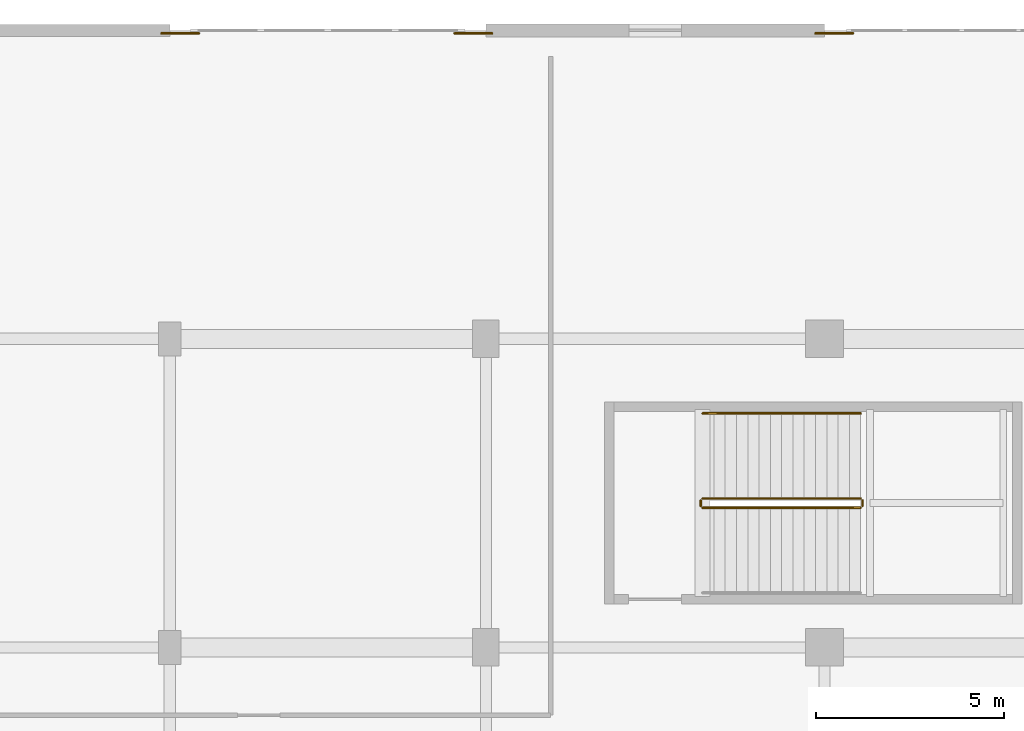
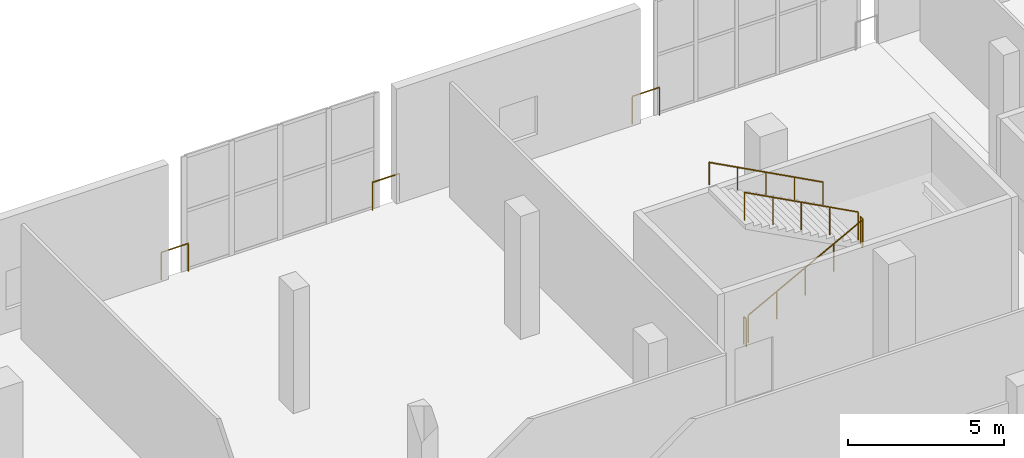
# One storey, part 138 of 142: 8 railings.
"""IFC4 building model written with IfcOpenShell, lengths in metres."""

import ifcopenshell
import ifcopenshell.guid

model = None  # the IFC model being written
_history = None  # IfcOwnerHistory: only IFC2X3 demands one
_inside = {}  # id of a spatial element -> (the spatial element, [elements in it])
_under = {}  # id of a project, library or spatial element -> (it, [spatial elements below it])
_declared = {}  # id of a project -> (the project, [libraries it declares])
_typed = {}  # id of a type object -> (the type object, [elements of that type])
_made_of = {}  # id of a material, layer set ... -> (it, [elements and type objects made of it])


def new_model(schema):
    """Start an empty IFC model of exactly this schema.

    Asked for "IFC4X3", IfcOpenShell would pick the latest addendum, in which some entities
    have other attributes; the version numbers below select the first issue.
    IFC2X3 requires an IfcOwnerHistory on every rooted entity: one is made here for all.
    """
    global model, _history
    if schema == "IFC4X3":
        model = ifcopenshell.file(schema_version=(4, 3, 0, 0))
    else:
        model = ifcopenshell.file(schema=schema)
    _inside.clear()
    _under.clear()
    _declared.clear()
    _typed.clear()
    _made_of.clear()
    _history = None
    if model.schema == "IFC2X3":
        org = make("IfcOrganization", Name="unknown")
        user = make(
            "IfcPersonAndOrganization",
            ThePerson=make("IfcPerson", FamilyName="unknown"),
            TheOrganization=org,
        )
        app = make(
            "IfcApplication",
            ApplicationDeveloper=org,
            Version="unknown",
            ApplicationFullName="unknown",
            ApplicationIdentifier="unknown",
        )
        _history = make(
            "IfcOwnerHistory",
            OwningUser=user,
            OwningApplication=app,
            ChangeAction="ADDED",
            CreationDate=0,
        )
    return model


def make(cls, **values):
    """One entity of the class cls with the attributes given. An attribute that is None is left unset."""
    return model.create_entity(
        cls, **{name: value for name, value in values.items() if value is not None}
    )


def rooted(cls, **values):
    """An entity with a GlobalId (a new one), such as an element, a storey or a relation."""
    return make(cls, GlobalId=ifcopenshell.guid.new(), OwnerHistory=_history, **values)


def si_unit(unit_type, name, prefix=None):
    """IfcSIUnit, for example si_unit("LENGTHUNIT", "METRE", prefix="MILLI")."""
    return make("IfcSIUnit", UnitType=unit_type, Prefix=prefix, Name=name)


def assignment(units):
    """IfcUnitAssignment: the units of a project."""
    return None if units is None else make("IfcUnitAssignment", Units=units)


def point(xyz):
    """IfcCartesianPoint."""
    return None if xyz is None else make("IfcCartesianPoint", Coordinates=xyz)


def direction(xyz):
    """IfcDirection."""
    return None if xyz is None else make("IfcDirection", DirectionRatios=xyz)


def frame(location, z_axis=None, x_axis=None):
    """IfcAxis2Placement3D, a coordinate frame: its origin and axes. An axis left out is left unset."""
    return make(
        "IfcAxis2Placement3D",
        Location=point(location),
        Axis=direction(z_axis),
        RefDirection=direction(x_axis),
    )


def frame_2d(location, x_axis=None):
    """IfcAxis2Placement2D, a coordinate frame in the plane: its origin and x axis."""
    return make(
        "IfcAxis2Placement2D", Location=point(location), RefDirection=direction(x_axis)
    )


def origin():
    """The frame at (0, 0, 0) with its axes left unset."""
    return frame((0.0, 0.0, 0.0))


def origin_2d():
    """The frame at (0, 0) in the plane with its x axis left unset."""
    return frame_2d((0.0, 0.0))


def place(relative_to, where):
    """IfcLocalPlacement: puts the frame where relative to a parent placement (None: the world)."""
    return make(
        "IfcLocalPlacement", PlacementRelTo=relative_to, RelativePlacement=where
    )


def context(
    kind, dimensions, precision=None, world=None, true_north=None, identifier=None
):
    """IfcGeometricRepresentationContext, for example the 3D "Model" context."""
    return make(
        "IfcGeometricRepresentationContext",
        ContextIdentifier=identifier,
        ContextType=kind,
        CoordinateSpaceDimension=dimensions,
        Precision=precision,
        WorldCoordinateSystem=world,
        TrueNorth=true_north,
    )


def subcontext(parent, identifier, kind, view, scale=None):
    """IfcGeometricRepresentationSubContext, for example "Body" below "Model"."""
    return make(
        "IfcGeometricRepresentationSubContext",
        ContextIdentifier=identifier,
        ContextType=kind,
        ParentContext=parent,
        TargetScale=scale,
        TargetView=view,
    )


def project(units=None, contexts=None):
    """IfcProject with its units and contexts."""
    return rooted(
        "IfcProject",
        Name="project",
        RepresentationContexts=contexts,
        UnitsInContext=assignment(units),
    )


def spatial(cls, under=None, at=None, **own):
    """A site, building, storey or space (cls), placed at a placement, below another one or the project."""
    s = rooted(cls, ObjectPlacement=at, **own)
    if under is not None:
        _under.setdefault(under.id(), (under, []))[1].append(s)
    return s


def profile(cls, at=None, kind="AREA", **sizes):
    """A parametric profile (cls). Its sizes go by their IFC names, for example OverallWidth=200.0."""
    return make(cls, ProfileType=kind, Position=at, **sizes)


def circle(**sizes):
    """IfcCircleProfileDef."""
    return profile("IfcCircleProfileDef", **sizes)


def extrude(swept, where, along, depth):
    """IfcExtrudedAreaSolid: the profile swept, set in the frame where, extruded along a direction by depth."""
    return make(
        "IfcExtrudedAreaSolid",
        SweptArea=swept,
        Position=where,
        ExtrudedDirection=direction(along),
        Depth=depth,
    )


def shape(context_of_items, identifier, shape_type, items):
    """IfcShapeRepresentation: the items that make up one representation, for example the "Body"."""
    return make(
        "IfcShapeRepresentation",
        ContextOfItems=context_of_items,
        RepresentationIdentifier=identifier,
        RepresentationType=shape_type,
        Items=items,
    )


def material(Name=None, Category=None):
    """IfcMaterial."""
    return make("IfcMaterial", Name=Name, Category=Category)


def made_of(thing, what):
    """Note that an element or type object is made of a material, layer set ...; save() writes the relation."""
    if what is not None:
        _made_of.setdefault(what.id(), (what, []))[1].append(thing)
    return thing


def type_object(cls, material=None, **own):
    """A type object (cls), such as IfcWallType, which elements share."""
    return made_of(rooted(cls, **own), material)


def element(
    cls,
    number,
    at=None,
    inside=None,
    cuts=None,
    type_object=None,
    material=None,
    context=None,
    identifier="Body",
    shape_type=None,
    held_by="IfcProductDefinitionShape",
    body=None,
    shapes=None,
    **own,
):
    """One element of the class cls, such as IfcWall. Its Tag is "e" and its number.

    at: its placement. inside: the storey or other place that contains it. cuts: it is an
    opening in that element (IfcRelVoidsElement). A single representation is given by context,
    identifier, shape_type and body (its items); several are given by shapes. held_by: the class
    of the entity that holds the representations. save() writes the other relations.
    """
    e = rooted(cls, Tag="e%d" % number, ObjectPlacement=at, **own)
    if body is not None:
        shapes = [shape(context, identifier, shape_type, body)]
    if shapes is not None:
        e.Representation = make(held_by, Representations=shapes)
    if inside is not None:
        _inside.setdefault(inside.id(), (inside, []))[1].append(e)
    if cuts is not None:
        rooted(
            "IfcRelVoidsElement", RelatingBuildingElement=cuts, RelatedOpeningElement=e
        )
    if type_object is not None:
        _typed.setdefault(type_object.id(), (type_object, []))[1].append(e)
    return made_of(e, material)


def aggregate(whole, parts):
    """IfcRelAggregates: a whole, such as a stair, and the parts it consists of."""
    return rooted("IfcRelAggregates", RelatingObject=whole, RelatedObjects=parts)


def save(model, path):
    """Write the relations noted so far, then the file.

    IfcRelAggregates (storeys below a building ...), IfcRelContainedInSpatialStructure (elements
    in a storey), IfcRelDefinesByType, IfcRelAssociatesMaterial and IfcRelDeclares: one each for
    every whole, place, type object, material and project.
    """
    for whole, parts in _under.values():
        aggregate(whole, parts)
    for where, things in _inside.values():
        rooted(
            "IfcRelContainedInSpatialStructure",
            RelatedElements=things,
            RelatingStructure=where,
        )
    for kind, things in _typed.values():
        rooted("IfcRelDefinesByType", RelatedObjects=things, RelatingType=kind)
    for what, things in _made_of.values():
        rooted("IfcRelAssociatesMaterial", RelatedObjects=things, RelatingMaterial=what)
    for by, libraries in _declared.values():
        rooted("IfcRelDeclares", RelatingContext=by, RelatedDefinitions=libraries)
    model.write(path)


model = new_model("IFC4")

# Units and contexts
model_context = context("Model", 3, precision=1e-05, world=origin(), true_north=direction((0.0, 1.0)))
body_context = subcontext(model_context, "Body", "Model", "MODEL_VIEW")
ifc_project = project(units=[si_unit("LENGTHUNIT", "METRE"), si_unit("AREAUNIT", "SQUARE_METRE"), si_unit("VOLUMEUNIT", "CUBIC_METRE"), si_unit("PLANEANGLEUNIT", "RADIAN"), si_unit("MASSUNIT", "GRAM", prefix="KILO")], contexts=[model_context])

# Site, building, storey
site_placement = place(None, origin())
site = spatial("IfcSite", under=ifc_project, at=site_placement, CompositionType="ELEMENT")
building_placement = place(site_placement, origin())
building = spatial("IfcBuilding", under=site, at=building_placement, Name="Koshinbarg Plaza Stadium", CompositionType="ELEMENT")
storey_placement = place(building_placement, frame((0.0, 0.0, 10.199951171875)))
storey = spatial("IfcBuildingStorey", under=building, at=storey_placement, Name="L02", CompositionType="ELEMENT", Elevation=10.199951171875)

# Railings
ifc_material_1 = material(Name="Toughened laminated glass and stainless steel sightline balustrade", Category="steel")
railing_type_1 = type_object("IfcRailingType", Name="RL-BOWL-1100", PredefinedType="BALUSTRADE", material=ifc_material_1)
railing_1_placement = place(storey_placement, frame((45.974609375, 151.919921875, 0.0)))
element("IfcRailing", 1, at=railing_1_placement, inside=storey, type_object=railing_type_1, Name="L02 deck edge safety balustrade 0158", PredefinedType="BALUSTRADE", context=body_context, shape_type="SweptSolid", body=[
    extrude(circle(Radius=0.02392578125, at=origin_2d()), frame((0.0, 0.0, 1.076171875), z_axis=(1.0, 0.0, 0.0), x_axis=(0.0, 1.0, 0.0)), (0.0, 0.0, 1.0), 0.999267578125),
    extrude(circle(Radius=0.02099609375, at=origin_2d()), origin(), (0.0, 0.0, 1.0), 1.052001953125),
    extrude(circle(Radius=0.02099609375, at=origin_2d()), frame((0.999267578125, 0.0, 0.0)), (0.0, 0.0, 1.0), 1.052001953125),
])
for number, where, name in (
    (2, (53.76708984375, 151.919921875, 0.0), "L02 deck edge safety balustrade 0159"),
    (3, (63.358154296875, 151.919921875, 0.0), "L02 deck edge safety balustrade 0160"),
):
    element("IfcRailing", number, at=place(storey_placement, frame(where)), inside=storey, type_object=railing_type_1, Name=name, PredefinedType="BALUSTRADE", context=body_context, shape_type="SweptSolid", body=[
        extrude(circle(Radius=0.02392578125, at=origin_2d()), frame((0.0, 0.0, 1.076171875), z_axis=(1.0, 0.0, 0.0), x_axis=(0.0, 1.0, 0.0)), (0.0, 0.0, 1.0), 0.99951171875),
        extrude(circle(Radius=0.02099609375, at=origin_2d()), origin(), (0.0, 0.0, 1.0), 1.052001953125),
        extrude(circle(Radius=0.02099609375, at=origin_2d()), frame((0.99951171875, 0.0, 0.0)), (0.0, 0.0, 1.0), 1.052001953125),
    ])
ifc_material_2 = material(Name="Galvanized painted steel guardrail", Category="steel")
railing_type_2 = type_object("IfcRailingType", Name="RL-GUARD-1100", PredefinedType="GUARDRAIL", material=ifc_material_2)
railing_2_placement = place(storey_placement, frame((60.360107421875, 139.31005859375, 0.16015625)))
element("IfcRailing", 4, at=railing_2_placement, inside=storey, type_object=railing_type_2, Name="L02 C11 stair guard 1", PredefinedType="GUARDRAIL", context=body_context, shape_type="SweptSolid", body=[
    extrude(circle(Radius=0.02392578125, at=origin_2d()), frame((0.0, 0.0, 1.076171875), z_axis=(0.882351521365, 0.0, 0.470590897432), x_axis=(0.0, 1.0, 0.0)), (0.0, 0.0, 1.0), 4.760009765625),
    extrude(circle(Radius=0.02099609375, at=origin_2d()), origin(), (0.0, 0.0, 1.0), 1.052001953125),
    extrude(circle(Radius=0.02099609375, at=origin_2d()), frame((1.050048828125, 0.0, 0.56005859375)), (0.0, 0.0, 1.0), 1.052001953125),
    extrude(circle(Radius=0.02099609375, at=origin_2d()), frame((2.10009765625, 0.0, 1.1201171875)), (0.0, 0.0, 1.0), 1.052001953125),
    extrude(circle(Radius=0.02099609375, at=origin_2d()), frame((3.14990234375, 0.0, 1.679931640625)), (0.0, 0.0, 1.0), 1.052001953125),
    extrude(circle(Radius=0.02099609375, at=origin_2d()), frame((4.199951171875, 0.0, 2.239990234375)), (0.0, 0.0, 1.0), 1.052001953125),
])
railing_3_placement = place(storey_placement, frame((64.610107421875, 139.360107421875, 2.400146484375)))
element("IfcRailing", 5, at=railing_3_placement, inside=storey, type_object=railing_type_2, Name="L02 C11 stair guard 2", PredefinedType="GUARDRAIL", context=body_context, shape_type="SweptSolid", body=[
    extrude(circle(Radius=0.02392578125, at=origin_2d()), frame((0.0, 0.0, 1.076171875), z_axis=(0.0, 1.0, 0.0), x_axis=(-1.0, 0.0, 0.0)), (0.0, 0.0, 1.0), 0.14990234375),
    extrude(circle(Radius=0.02099609375, at=origin_2d()), origin(), (0.0, 0.0, 1.0), 1.052001953125),
    extrude(circle(Radius=0.02099609375, at=origin_2d()), frame((0.0, 0.14990234375, 0.0)), (0.0, 0.0, 1.0), 1.052001953125),
])
railing_4_placement = place(storey_placement, frame((64.56005859375, 139.56005859375, 2.56005859375)))
element("IfcRailing", 6, at=railing_4_placement, inside=storey, type_object=railing_type_2, Name="L02 C11 stair guard 3", PredefinedType="GUARDRAIL", context=body_context, shape_type="SweptSolid", body=[
    extrude(circle(Radius=0.02392578125, at=origin_2d()), frame((0.0, 0.0, 1.076171875), z_axis=(-0.882351521365, 0.0, 0.470590897432), x_axis=(0.0, -1.0, 0.0)), (0.0, 0.0, 1.0), 4.760009765625),
    extrude(circle(Radius=0.02099609375, at=origin_2d()), origin(), (0.0, 0.0, 1.0), 1.052001953125),
    extrude(circle(Radius=0.02099609375, at=origin_2d()), frame((-1.050048828125, 0.0, 0.56005859375)), (0.0, 0.0, 1.0), 1.052001953125),
    extrude(circle(Radius=0.02099609375, at=origin_2d()), frame((-2.10009765625, 0.0, 1.1201171875)), (0.0, 0.0, 1.0), 1.052001953125),
    extrude(circle(Radius=0.02099609375, at=origin_2d()), frame((-3.14990234375, 0.0, 1.679931640625)), (0.0, 0.0, 1.0), 1.052001953125),
    extrude(circle(Radius=0.02099609375, at=origin_2d()), frame((-4.199951171875, 0.0, 2.239990234375)), (0.0, 0.0, 1.0), 1.052001953125),
])
railing_5_placement = place(storey_placement, frame((60.31005859375, 139.360107421875, 0.0)))
element("IfcRailing", 7, at=railing_5_placement, inside=storey, type_object=railing_type_2, Name="L02 C11 stair guard 4", PredefinedType="GUARDRAIL", context=body_context, shape_type="SweptSolid", body=[
    extrude(circle(Radius=0.02392578125, at=origin_2d()), frame((0.0, 0.0, 1.076171875), z_axis=(0.0, 1.0, 0.0), x_axis=(-1.0, 0.0, 0.0)), (0.0, 0.0, 1.0), 0.14990234375),
    extrude(circle(Radius=0.02099609375, at=origin_2d()), origin(), (0.0, 0.0, 1.0), 1.052001953125),
    extrude(circle(Radius=0.02099609375, at=origin_2d()), frame((0.0, 0.14990234375, 0.0)), (0.0, 0.0, 1.0), 1.052001953125),
])
ifc_material_3 = material(Name="Brushed stainless steel handrail", Category="steel")
railing_type_3 = type_object("IfcRailingType", Name="RL-HAND-900", PredefinedType="HANDRAIL", material=ifc_material_3)
railing_6_placement = place(storey_placement, frame((64.56005859375, 141.820068359375, 2.56005859375)))
element("IfcRailing", 8, at=railing_6_placement, inside=storey, type_object=railing_type_3, Name="L02 C11 stair handrail 2", PredefinedType="HANDRAIL", context=body_context, shape_type="SweptSolid", body=[
    extrude(circle(Radius=0.02392578125, at=origin_2d()), frame((0.0, 0.0, 0.8759765625), z_axis=(-0.882351521365, 0.0, 0.470590897432), x_axis=(0.0, -1.0, 0.0)), (0.0, 0.0, 1.0), 4.760009765625),
    extrude(circle(Radius=0.02099609375, at=origin_2d()), origin(), (0.0, 0.0, 1.0), 0.851806640625),
    extrude(circle(Radius=0.02099609375, at=origin_2d()), frame((-1.050048828125, 0.0, 0.56005859375)), (0.0, 0.0, 1.0), 0.851806640625),
    extrude(circle(Radius=0.02099609375, at=origin_2d()), frame((-2.10009765625, 0.0, 1.1201171875)), (0.0, 0.0, 1.0), 0.851806640625),
    extrude(circle(Radius=0.02099609375, at=origin_2d()), frame((-3.14990234375, 0.0, 1.679931640625)), (0.0, 0.0, 1.0), 0.851806640625),
    extrude(circle(Radius=0.02099609375, at=origin_2d()), frame((-4.199951171875, 0.0, 2.239990234375)), (0.0, 0.0, 1.0), 0.851806640625),
])

save(model, "model.ifc")
